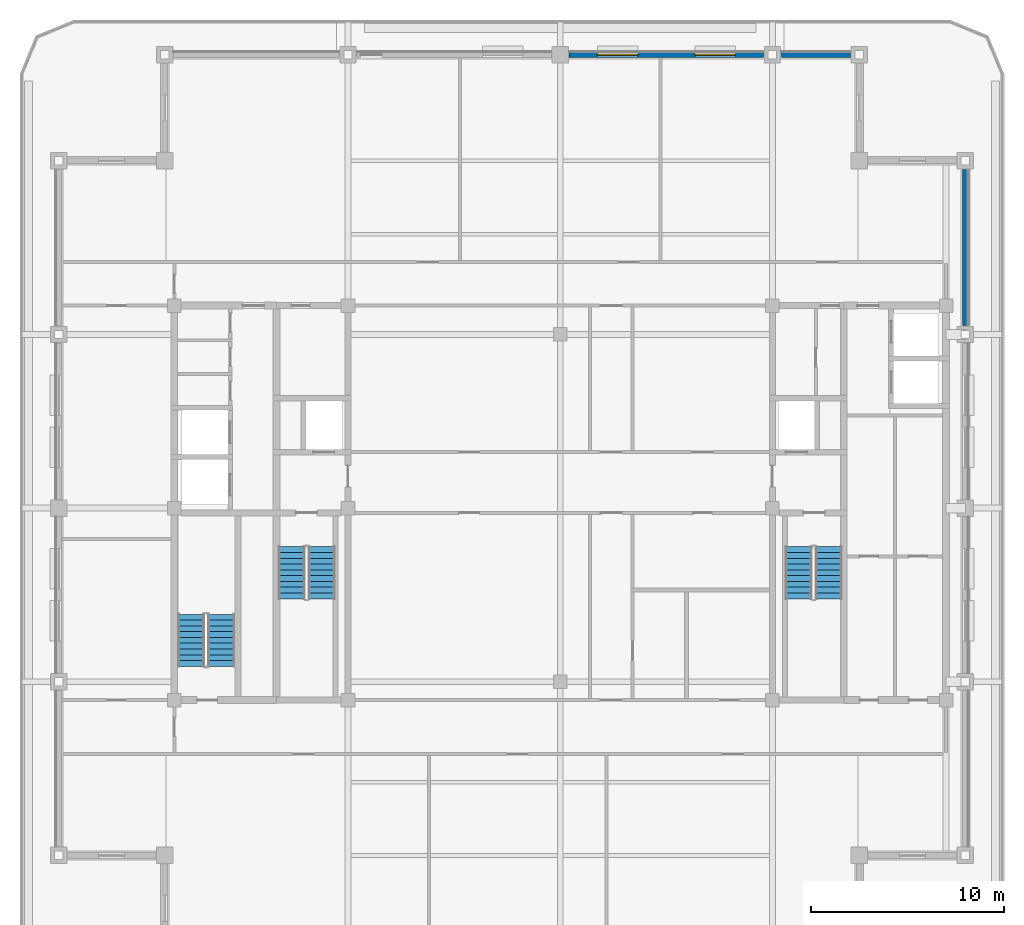
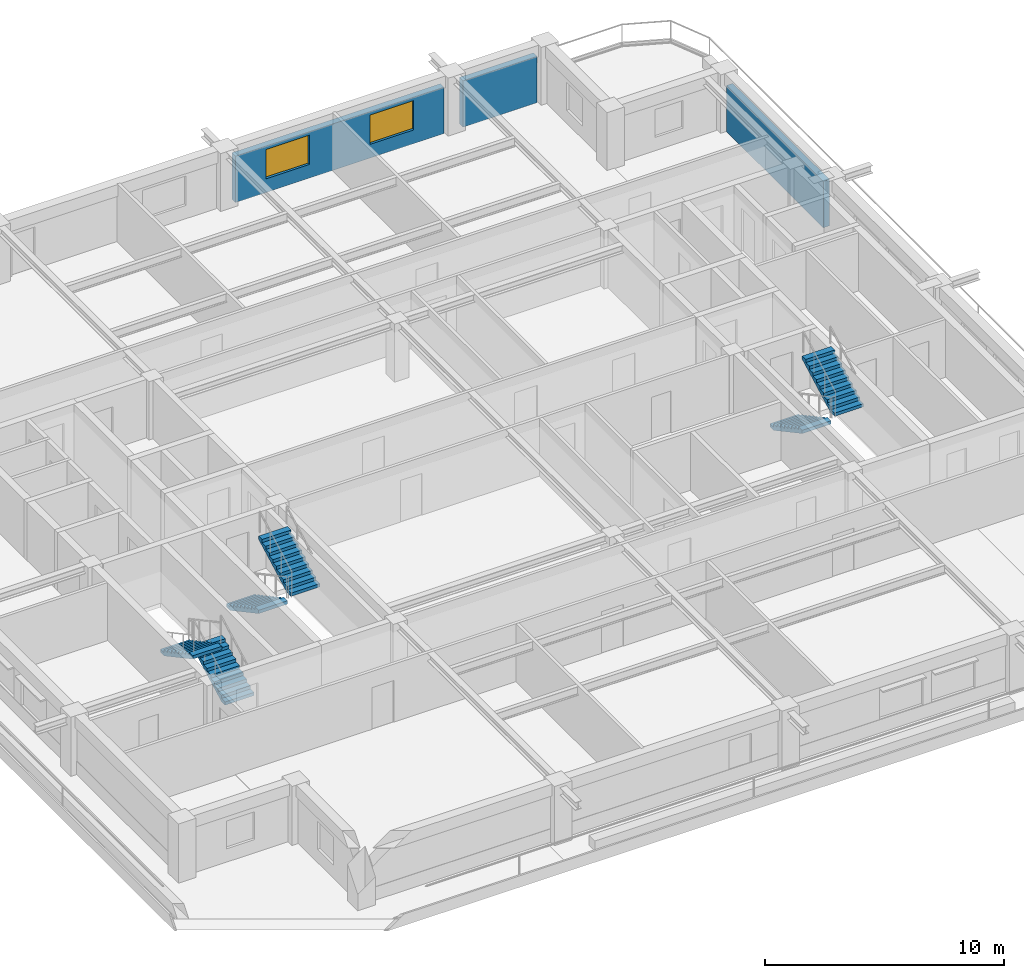
# One storey, part 6 of 11: 6 stair flights, 3 walls, 2 windows, 2 openings, 3 elements without a shape of their own.
"""IFC4 building model written with IfcOpenShell, lengths in metres."""

from ifc_helpers import new_model, si_unit, direction, frame, frame_2d, origin, place, context, subcontext, project, spatial, polyline, rectangle, outline, extrude, material, layer, layer_set, type_object, element, fill, aggregate, save


model = new_model("IFC4")

# Units and contexts
model_context = context("Model", 3, precision=1e-05, world=origin(), true_north=direction((0.0, 1.0)))
body_context = subcontext(model_context, "Body", "Model", "MODEL_VIEW")
ifc_project = project(units=[si_unit("LENGTHUNIT", "METRE"), si_unit("AREAUNIT", "SQUARE_METRE"), si_unit("VOLUMEUNIT", "CUBIC_METRE"), si_unit("PLANEANGLEUNIT", "RADIAN"), si_unit("MASSUNIT", "GRAM", prefix="KILO")], contexts=[model_context])

# Site, building, storey
site_placement = place(None, origin())
site = spatial("IfcSite", under=ifc_project, at=site_placement, CompositionType="ELEMENT")
building_placement = place(site_placement, origin())
building = spatial("IfcBuilding", under=site, at=building_placement, Name="Zulmaris Gate Convention Tower", CompositionType="ELEMENT")
storey_placement = place(building_placement, frame((0.0, 0.0, 257.659912109375)))
storey = spatial("IfcBuildingStorey", under=building, at=storey_placement, Name="L68", CompositionType="ELEMENT", Elevation=257.659912109375)

# Wall, openings, windows
ifc_material_1 = material(Name="Precast concrete C40/50", Category="concrete")
ifc_layer_1 = layer(ifc_material_1, 0.300048828125, Name="Precast concrete C40/50")
ifc_layer_set_1 = layer_set([ifc_layer_1], Name="Precast concrete C40/50")
wall_type = type_object("IfcWallType", Name="PRECAST-PIER-300", PredefinedType="STANDARD", material=ifc_layer_set_1)
wall_1_placement = place(storey_placement, frame((10.544921875, 23.5, 0.0), z_axis=(0.0, 0.0, 1.0), x_axis=(-1.0, 0.0, 0.0)))
wall_1 = element("IfcWall", 1, at=wall_1_placement, inside=storey, type_object=wall_type, Name="EW-L68-N-2_0", PredefinedType="STANDARD", context=body_context, shape_type="SweptSolid", body=[
    extrude(rectangle(XDim=10.08984375, YDim=0.300048828125, at=frame_2d((5.044921875, 0.0))), origin(), (0.0, 0.0, 1.0), 2.3720703125),
])
opening_1_placement = place(wall_1_placement, frame((1.471923828125, 0.0, 0.699951171875)))
opening_1 = element("IfcOpeningElement", 2, at=opening_1_placement, cuts=wall_1, Name="Opening W-05", PredefinedType="OPENING", context=body_context, shape_type="SweptSolid", body=[
    extrude(rectangle(XDim=2.10009765625, YDim=1.5, at=frame_2d((1.050048828125, 0.75))), frame((0.0, 0.16015625, 0.0), z_axis=(0.0, -1.0, 0.0), x_axis=(1.0, 0.0, 0.0)), (0.0, 0.0, 1.0), 0.320068359375),
])
opening_2_placement = place(wall_1_placement, frame((6.51806640625, 0.0, 0.699951171875)))
opening_2 = element("IfcOpeningElement", 3, at=opening_2_placement, cuts=wall_1, Name="Opening W-05", PredefinedType="OPENING", context=body_context, shape_type="SweptSolid", body=[
    extrude(rectangle(XDim=2.10009765625, YDim=1.5, at=frame_2d((1.050048828125, 0.75))), frame((0.0, 0.16015625, 0.0), z_axis=(0.0, -1.0, 0.0), x_axis=(1.0, 0.0, 0.0)), (0.0, 0.0, 1.0), 0.320068359375),
])
ifc_material_2 = material(Name="Low-E Laminated Double Glazing in Aluminium Frame", Category="aluminium")
window_type = type_object("IfcWindowType", Name="WIN-2100x2400", PartitioningType="SINGLE_PANEL", PredefinedType="WINDOW", material=ifc_material_2)
window_1_placement = place(opening_1_placement, origin())
window_1 = element("IfcWindow", 4, at=window_1_placement, inside=storey, type_object=window_type, Name="WN-EW-L68-N-2_0-1", OverallHeight=1.5, OverallWidth=2.10009765625, PartitioningType="SINGLE_PANEL", PredefinedType="WINDOW", context=body_context, shape_type="SweptSolid", body=[
    extrude(rectangle(XDim=2.10009765625, YDim=1.5, at=frame_2d((1.050048828125, 0.75))), frame((0.0, 0.030029296875, 0.0), z_axis=(0.0, -1.0, 0.0), x_axis=(1.0, 0.0, 0.0)), (0.0, 0.0, 1.0), 0.06005859375),
])
fill(opening_1, window_1)
window_2_placement = place(opening_2_placement, origin())
window_2 = element("IfcWindow", 5, at=window_2_placement, inside=storey, type_object=window_type, Name="WN-EW-L68-N-2_0-3", OverallHeight=1.5, OverallWidth=2.10009765625, PartitioningType="SINGLE_PANEL", PredefinedType="WINDOW", context=body_context, shape_type="SweptSolid", body=[
    extrude(rectangle(XDim=2.10009765625, YDim=1.5, at=frame_2d((1.050048828125, 0.75))), frame((0.0, 0.030029296875, 0.0), z_axis=(0.0, -1.0, 0.0), x_axis=(1.0, 0.0, 0.0)), (0.0, 0.0, 1.0), 0.06005859375),
])
fill(opening_2, window_2)

# Walls
wall_2_placement = place(storey_placement, frame((15.044921875, 23.5, 0.0), z_axis=(0.0, 0.0, 1.0), x_axis=(-1.0, 0.0, 0.0)))
element("IfcWall", 6, at=wall_2_placement, inside=storey, type_object=wall_type, Name="EW-L68-N-3_0", PredefinedType="STANDARD", context=body_context, shape_type="SweptSolid", body=[
    extrude(rectangle(XDim=3.58984375, YDim=0.300048828125, at=frame_2d((1.794921875, 0.0))), origin(), (0.0, 0.0, 1.0), 2.3720703125),
])
wall_3_placement = place(storey_placement, frame((21.0, 9.455078125, 0.0), z_axis=(0.0, 0.0, 1.0), x_axis=(0.0, 1.0, 0.0)))
element("IfcWall", 7, at=wall_3_placement, inside=storey, type_object=wall_type, Name="EW-L68-E-3_0", PredefinedType="STANDARD", context=body_context, shape_type="SweptSolid", body=[
    extrude(rectangle(XDim=8.08984375, YDim=0.300048828125, at=frame_2d((4.044921875, 0.0))), origin(), (0.0, 0.0, 1.0), 2.3720703125),
])

# Stair, stair flights
ifc_material_3 = material(Name="Concrete C45/55", Category="concrete")
stair_type = type_object("IfcStairType", Name="ST-CORE-DOGLEG", PredefinedType="HALF_TURN_STAIR", material=ifc_material_3)
stair_1_placement = place(storey_placement, origin())
stair_1 = element("IfcStair", 8, at=stair_1_placement, inside=storey, type_object=stair_type, Name="L68 Core Exit Stair ST-1", PredefinedType="HALF_TURN_STAIR")
ifc_layer_2 = layer(ifc_material_3, 0.14990234375, Name="Concrete C45/55")
ifc_layer_set_2 = layer_set([ifc_layer_2], Name="Concrete C45/55")
stair_flight_type = type_object("IfcStairFlightType", Name="STF-RC150", PredefinedType="STRAIGHT", material=ifc_layer_set_2)
stair_flight_1_placement = place(storey_placement, frame((-13.919921875, -2.0, 0.0), z_axis=(0.0, 0.0, 1.0), x_axis=(0.0, -1.0, 0.0)))
stair_flight_1 = element("IfcStairFlight", 9, at=stair_flight_1_placement, type_object=stair_flight_type, Name="ST-1 flight 1", NumberOfRisers=10, NumberOfTreads=9, PredefinedType="STRAIGHT", RiserHeight=0.1615, TreadLength=0.3, context=body_context, shape_type="SweptSolid", body=[
    extrude(outline(polyline([(0.0, 0.0), (0.0, 0.16162109375), (0.300048828125, 0.16162109375), (0.300048828125, 0.322998046875), (0.60009765625, 0.322998046875), (0.60009765625, 0.484619140625), (0.89990234375, 0.484619140625), (0.89990234375, 0.64599609375), (1.199951171875, 0.64599609375), (1.199951171875, 0.8076171875), (1.5, 0.8076171875), (1.5, 0.968994140625), (1.800048828125, 0.968994140625), (1.800048828125, 1.130615234375), (2.10009765625, 1.130615234375), (2.10009765625, 1.2919921875), (2.39990234375, 1.2919921875), (2.39990234375, 1.45361328125), (2.699951171875, 1.45361328125), (2.699951171875, 1.614990234375), (2.699951171875, 1.283203125), (0.316162109375, 0.0), (0.0, 0.0)])), frame((0.0, 0.699951171875, 0.0), z_axis=(0.0, -1.0, 0.0), x_axis=(1.0, 0.0, 0.0)), (0.0, 0.0, 1.0), 1.39990234375),
])
stair_flight_2_placement = place(storey_placement, frame((-12.360107421875, -4.699951171875, 1.614990234375), z_axis=(0.0, 0.0, 1.0), x_axis=(0.0, 1.0, 0.0)))
stair_flight_2 = element("IfcStairFlight", 10, at=stair_flight_2_placement, type_object=stair_flight_type, Name="ST-1 flight 2", NumberOfRisers=10, NumberOfTreads=9, PredefinedType="STRAIGHT", RiserHeight=0.1615, TreadLength=0.3, context=body_context, shape_type="SweptSolid", body=[
    extrude(outline(polyline([(0.0, 0.0), (0.0, 0.16162109375), (0.300048828125, 0.16162109375), (0.300048828125, 0.322998046875), (0.60009765625, 0.322998046875), (0.60009765625, 0.484619140625), (0.89990234375, 0.484619140625), (0.89990234375, 0.64599609375), (1.199951171875, 0.64599609375), (1.199951171875, 0.8076171875), (1.5, 0.8076171875), (1.5, 0.968994140625), (1.800048828125, 0.968994140625), (1.800048828125, 1.130615234375), (2.10009765625, 1.130615234375), (2.10009765625, 1.2919921875), (2.39990234375, 1.2919921875), (2.39990234375, 1.45361328125), (2.699951171875, 1.45361328125), (2.699951171875, 1.614990234375), (2.699951171875, 1.283203125), (0.316162109375, 0.0), (0.0, 0.0)])), frame((0.0, 0.699951171875, 0.0), z_axis=(0.0, -1.0, 0.0), x_axis=(1.0, 0.0, 0.0)), (0.0, 0.0, 1.0), 1.39990234375),
])
aggregate(stair_1, [stair_flight_1, stair_flight_2])

stair_2_placement = place(storey_placement, origin())
stair_2 = element("IfcStair", 11, at=stair_2_placement, inside=storey, type_object=stair_type, Name="L68 Core Exit Stair ST-2", PredefinedType="HALF_TURN_STAIR")
stair_flight_3_placement = place(storey_placement, frame((12.360107421875, -2.0, 0.0), z_axis=(0.0, 0.0, 1.0), x_axis=(0.0, -1.0, 0.0)))
stair_flight_3 = element("IfcStairFlight", 12, at=stair_flight_3_placement, type_object=stair_flight_type, Name="ST-2 flight 1", NumberOfRisers=10, NumberOfTreads=9, PredefinedType="STRAIGHT", RiserHeight=0.1615, TreadLength=0.3, context=body_context, shape_type="SweptSolid", body=[
    extrude(outline(polyline([(0.0, 0.0), (0.0, 0.16162109375), (0.300048828125, 0.16162109375), (0.300048828125, 0.322998046875), (0.60009765625, 0.322998046875), (0.60009765625, 0.484619140625), (0.89990234375, 0.484619140625), (0.89990234375, 0.64599609375), (1.199951171875, 0.64599609375), (1.199951171875, 0.8076171875), (1.5, 0.8076171875), (1.5, 0.968994140625), (1.800048828125, 0.968994140625), (1.800048828125, 1.130615234375), (2.10009765625, 1.130615234375), (2.10009765625, 1.2919921875), (2.39990234375, 1.2919921875), (2.39990234375, 1.45361328125), (2.699951171875, 1.45361328125), (2.699951171875, 1.614990234375), (2.699951171875, 1.283203125), (0.316162109375, 0.0), (0.0, 0.0)])), frame((0.0, 0.699951171875, 0.0), z_axis=(0.0, -1.0, 0.0), x_axis=(1.0, 0.0, 0.0)), (0.0, 0.0, 1.0), 1.39990234375),
])
stair_flight_4_placement = place(storey_placement, frame((13.919921875, -4.699951171875, 1.614990234375), z_axis=(0.0, 0.0, 1.0), x_axis=(0.0, 1.0, 0.0)))
stair_flight_4 = element("IfcStairFlight", 13, at=stair_flight_4_placement, type_object=stair_flight_type, Name="ST-2 flight 2", NumberOfRisers=10, NumberOfTreads=9, PredefinedType="STRAIGHT", RiserHeight=0.1615, TreadLength=0.3, context=body_context, shape_type="SweptSolid", body=[
    extrude(outline(polyline([(0.0, 0.0), (0.0, 0.16162109375), (0.300048828125, 0.16162109375), (0.300048828125, 0.322998046875), (0.60009765625, 0.322998046875), (0.60009765625, 0.484619140625), (0.89990234375, 0.484619140625), (0.89990234375, 0.64599609375), (1.199951171875, 0.64599609375), (1.199951171875, 0.8076171875), (1.5, 0.8076171875), (1.5, 0.968994140625), (1.800048828125, 0.968994140625), (1.800048828125, 1.130615234375), (2.10009765625, 1.130615234375), (2.10009765625, 1.2919921875), (2.39990234375, 1.2919921875), (2.39990234375, 1.45361328125), (2.699951171875, 1.45361328125), (2.699951171875, 1.614990234375), (2.699951171875, 1.283203125), (0.316162109375, 0.0), (0.0, 0.0)])), frame((0.0, 0.699951171875, 0.0), z_axis=(0.0, -1.0, 0.0), x_axis=(1.0, 0.0, 0.0)), (0.0, 0.0, 1.0), 1.39990234375),
])
aggregate(stair_2, [stair_flight_3, stair_flight_4])

stair_3_placement = place(storey_placement, origin())
stair_3 = element("IfcStair", 14, at=stair_3_placement, inside=storey, type_object=stair_type, Name="L68 Core Exit Stair ST-3", PredefinedType="HALF_TURN_STAIR")
stair_flight_5_placement = place(storey_placement, frame((-17.56005859375, -8.199951171875, 0.0), z_axis=(0.0, 0.0, 1.0), x_axis=(0.0, 1.0, 0.0)))
stair_flight_5 = element("IfcStairFlight", 15, at=stair_flight_5_placement, type_object=stair_flight_type, Name="ST-3 flight 1", NumberOfRisers=10, NumberOfTreads=9, PredefinedType="STRAIGHT", RiserHeight=0.1615, TreadLength=0.3, context=body_context, shape_type="SweptSolid", body=[
    extrude(outline(polyline([(0.0, 0.0), (0.0, 0.16162109375), (0.300048828125, 0.16162109375), (0.300048828125, 0.322998046875), (0.60009765625, 0.322998046875), (0.60009765625, 0.484619140625), (0.89990234375, 0.484619140625), (0.89990234375, 0.64599609375), (1.199951171875, 0.64599609375), (1.199951171875, 0.8076171875), (1.5, 0.8076171875), (1.5, 0.968994140625), (1.800048828125, 0.968994140625), (1.800048828125, 1.130615234375), (2.10009765625, 1.130615234375), (2.10009765625, 1.2919921875), (2.39990234375, 1.2919921875), (2.39990234375, 1.45361328125), (2.699951171875, 1.45361328125), (2.699951171875, 1.614990234375), (2.699951171875, 1.283203125), (0.316162109375, 0.0), (0.0, 0.0)])), frame((0.0, 0.699951171875, 0.0), z_axis=(0.0, -1.0, 0.0), x_axis=(1.0, 0.0, 0.0)), (0.0, 0.0, 1.0), 1.39990234375),
])
stair_flight_6_placement = place(storey_placement, frame((-19.1201171875, -5.5, 1.614990234375), z_axis=(0.0, 0.0, 1.0), x_axis=(0.0, -1.0, 0.0)))
stair_flight_6 = element("IfcStairFlight", 16, at=stair_flight_6_placement, type_object=stair_flight_type, Name="ST-3 flight 2", NumberOfRisers=10, NumberOfTreads=9, PredefinedType="STRAIGHT", RiserHeight=0.1615, TreadLength=0.3, context=body_context, shape_type="SweptSolid", body=[
    extrude(outline(polyline([(0.0, 0.0), (0.0, 0.16162109375), (0.300048828125, 0.16162109375), (0.300048828125, 0.322998046875), (0.60009765625, 0.322998046875), (0.60009765625, 0.484619140625), (0.89990234375, 0.484619140625), (0.89990234375, 0.64599609375), (1.199951171875, 0.64599609375), (1.199951171875, 0.8076171875), (1.5, 0.8076171875), (1.5, 0.968994140625), (1.800048828125, 0.968994140625), (1.800048828125, 1.130615234375), (2.10009765625, 1.130615234375), (2.10009765625, 1.2919921875), (2.39990234375, 1.2919921875), (2.39990234375, 1.45361328125), (2.699951171875, 1.45361328125), (2.699951171875, 1.614990234375), (2.699951171875, 1.283203125), (0.316162109375, 0.0), (0.0, 0.0)])), frame((0.0, 0.699951171875, 0.0), z_axis=(0.0, -1.0, 0.0), x_axis=(1.0, 0.0, 0.0)), (0.0, 0.0, 1.0), 1.39990234375),
])
aggregate(stair_3, [stair_flight_5, stair_flight_6])

save(model, "model.ifc")
